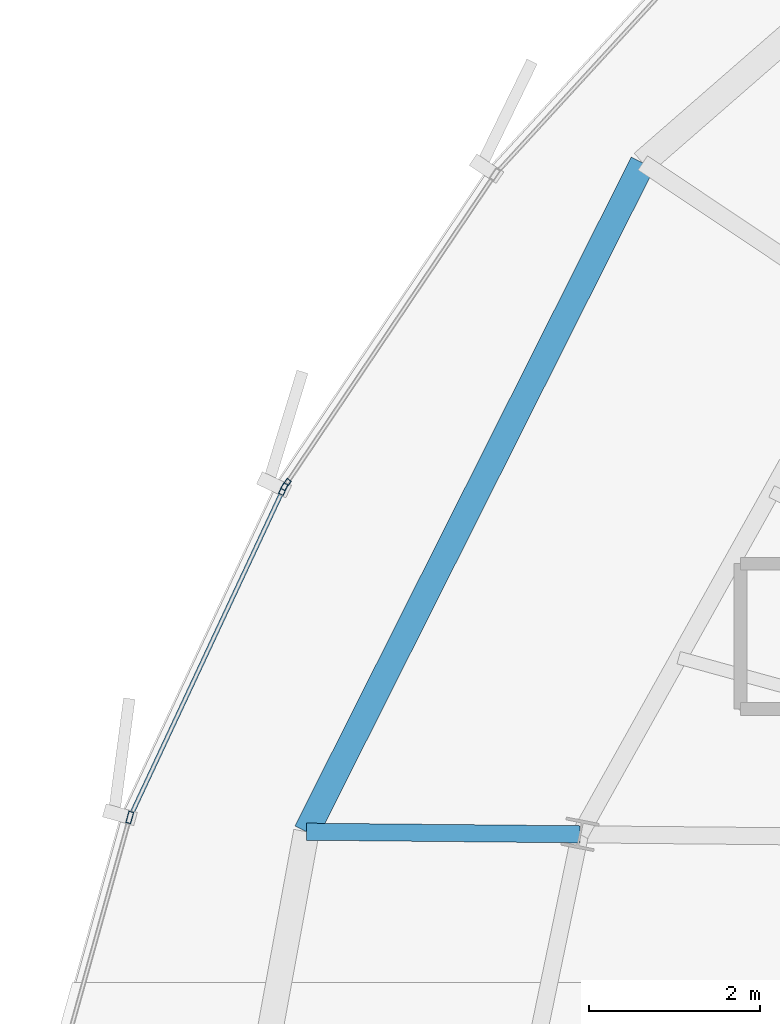
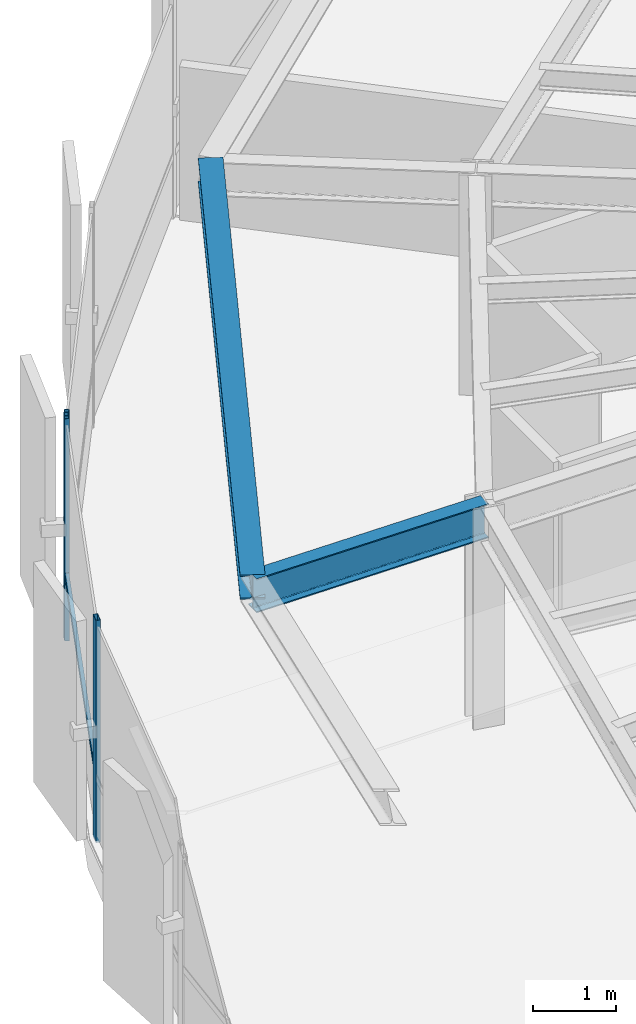
# One storey, part 11 of 36: 4 members, 2 beams, 2 elements without a shape of their own.
"""IFC4 building model written with IfcOpenShell, lengths in metres."""

from ifc_helpers import new_model, si_unit, direction, frame, origin, origin_2d, place, context, subcontext, project, spatial, hollow_rectangle, i_section, extrude, source, transform, mapped, material, layer, layer_set, material_profile, profile_set, type_object, element, aggregate, save


model = new_model("IFC4")

# Units and contexts
model_context = context("Model", 3, precision=1e-05, world=origin(), true_north=direction((0.0, 1.0)))
body_context = subcontext(model_context, "Body", "Model", "MODEL_VIEW")
ifc_project = project(units=[si_unit("LENGTHUNIT", "METRE"), si_unit("AREAUNIT", "SQUARE_METRE"), si_unit("VOLUMEUNIT", "CUBIC_METRE"), si_unit("PLANEANGLEUNIT", "RADIAN"), si_unit("MASSUNIT", "GRAM", prefix="KILO"), si_unit("THERMODYNAMICTEMPERATUREUNIT", "KELVIN")], contexts=[model_context])

# Site, building, storey
site_placement = place(None, origin())
site = spatial("IfcSite", under=ifc_project, at=site_placement, CompositionType="ELEMENT")
building_placement = place(site_placement, origin())
building = spatial("IfcBuilding", under=site, at=building_placement, Name="Kethvar Cultural Tower", CompositionType="ELEMENT")
storey_placement = place(building_placement, frame((0.0, 0.0, 176.39990234375)))
storey = spatial("IfcBuildingStorey", under=building, at=storey_placement, Name="L45", CompositionType="ELEMENT", Elevation=176.39990234375)

# Beams
ifc_material_1 = material(Name="Steel S355J2", Category="steel")
ifc_material_profile_1 = material_profile(ifc_material_1, i_section(OverallWidth=0.199951171875, OverallDepth=0.5, WebThickness=0.01025390625, FlangeThickness=0.01611328125, FilletRadius=0.02099609375, at=origin_2d()), Name="Steel S355J2 — IPE500")
ifc_profile_set_1 = profile_set([ifc_material_profile_1], Name="Steel S355J2 — IPE500")
beam_type_1 = type_object("IfcBeamType", Name="BM-IPE500", PredefinedType="BEAM", material=ifc_profile_set_1)
shared_shape_1 = source(origin(), body_context, "Body", "SweptSolid", [
    extrude(i_section(OverallWidth=0.199951171875, OverallDepth=0.5, WebThickness=0.01025390625, FlangeThickness=0.01611328125, FilletRadius=0.02099609375, at=origin_2d()), origin(), (0.0, 0.0, 1.0), 3.2001953125),
])
beam_1_placement = place(storey_placement, frame((29.02490234375, 31.335693359375, 3.008056640625), z_axis=(-0.999954526979, 0.009536455014, 0.0), x_axis=(-0.009536455014, -0.999954526979, 0.0)))
element("IfcBeam", 1, at=beam_1_placement, inside=storey, type_object=beam_type_1, Name="L45 Perimeter Cantilever Beam RC-08", PredefinedType="BEAM", context=body_context, shape_type="MappedRepresentation", body=[
    mapped(shared_shape_1, transform((0.0, 0.0, 0.0), scale=1.0)),
])
ifc_material_profile_2 = material_profile(ifc_material_1, i_section(OverallWidth=0.300048828125, OverallDepth=0.360107421875, WebThickness=0.012451171875, FlangeThickness=0.0224609375, FilletRadius=0.027099609375, at=origin_2d()), Name="Steel S355J2 — HEB360")
ifc_profile_set_2 = profile_set([ifc_material_profile_2], Name="Steel S355J2 — HEB360")
beam_type_2 = type_object("IfcBeamType", Name="BM-SP360", PredefinedType="SPANDREL", material=ifc_profile_set_2)
shared_shape_2 = source(origin(), body_context, "Body", "SweptSolid", [
    extrude(i_section(OverallWidth=0.300048828125, OverallDepth=0.360107421875, WebThickness=0.012451171875, FlangeThickness=0.0224609375, FilletRadius=0.027099609375, at=origin_2d()), origin(), (0.0, 0.0, 1.0), 8.754150390625),
])
beam_2_placement = place(storey_placement, frame((29.757568359375, 39.187255859375, 3.078125), z_axis=(-0.449231599727, -0.893415340033, 0.0), x_axis=(0.893415340033, -0.449231599727, 0.0)))
element("IfcBeam", 2, at=beam_2_placement, inside=storey, type_object=beam_type_2, Name="L45 Perimeter Spandrel Beam SP-07", PredefinedType="SPANDREL", context=body_context, shape_type="MappedRepresentation", body=[
    mapped(shared_shape_2, transform((0.0, 0.0, 0.0), scale=1.0)),
])

# Curtain wall, member
ifc_material_2 = material(Name="Aluminium 6063-T6", Category="aluminium")
ifc_layer = layer(ifc_material_2, 0.179931640625, Name="Aluminium 6063-T6", Category="aluminium")
ifc_layer_set = layer_set([ifc_layer], Name="Aluminium 6063-T6 (180 mm)")
curtain_wall_type = type_object("IfcCurtainWallType", Name="CW-SYS-04-Z34", PredefinedType="NOTDEFINED", material=ifc_layer_set)
curtain_wall_1_placement = place(storey_placement, origin())
curtain_wall_1 = element("IfcCurtainWall", 3, at=curtain_wall_1_placement, inside=storey, type_object=curtain_wall_type, Name="L45 Curtain Wall Run 02", PredefinedType="NOTDEFINED")
ifc_material_profile_3 = material_profile(ifc_material_2, hollow_rectangle(XDim=0.06005859375, YDim=0.139892578125, WallThickness=0.0048828125, at=origin_2d()), Name="Aluminium 6063-T6 — RHS140x60x5")
ifc_profile_set_3 = profile_set([ifc_material_profile_3], Name="Aluminium 6063-T6 — RHS140x60x5")
member_type_1 = type_object("IfcMemberType", Name="CW-SYS-04-Z34-MUL", PredefinedType="MULLION", material=ifc_profile_set_3)
shared_shape_3 = source(origin(), body_context, "Body", "SweptSolid", [
    extrude(hollow_rectangle(XDim=0.06005859375, YDim=0.139892578125, WallThickness=0.0048828125, at=origin_2d()), origin(), (0.0, 0.0, 1.0), 3.260009765625),
])
member_1_placement = place(storey_placement, frame((25.5849609375, 35.42578125, 0.0), z_axis=(0.0, 0.0, 1.0), x_axis=(0.829242471769, -0.558889007777, 0.0)))
member_1 = element("IfcMember", 4, at=member_1_placement, type_object=member_type_1, Name="CW-L45-R02 Mullion 7", PredefinedType="MULLION", context=body_context, shape_type="MappedRepresentation", body=[
    mapped(shared_shape_3, transform((0.0, 0.0, 0.0), scale=1.0)),
])
aggregate(curtain_wall_1, [member_1])

# Curtain wall, members
curtain_wall_2_placement = place(storey_placement, origin())
curtain_wall_2 = element("IfcCurtainWall", 5, at=curtain_wall_2_placement, inside=storey, type_object=curtain_wall_type, Name="L45 Curtain Wall Run 03", PredefinedType="NOTDEFINED")
member_2_placement = place(storey_placement, frame((25.55517578125, 35.373046875, 0.0), z_axis=(0.0, 0.0, 1.0), x_axis=(0.905982972299, -0.423314131471, 0.0)))
member_2 = element("IfcMember", 6, at=member_2_placement, type_object=member_type_1, Name="CW-L45-R03 Mullion 1", PredefinedType="MULLION", context=body_context, shape_type="MappedRepresentation", body=[
    mapped(shared_shape_3, transform((0.0, 0.0, 0.0), scale=1.0)),
])
member_3_placement = place(storey_placement, frame((23.75927734375, 31.532958984375, 0.0), z_axis=(0.0, 0.0, 1.0), x_axis=(0.963368798367, -0.268180085639, 0.0)))
member_3 = element("IfcMember", 7, at=member_3_placement, type_object=member_type_1, Name="CW-L45-R03 Mullion 2", PredefinedType="MULLION", context=body_context, shape_type="MappedRepresentation", body=[
    mapped(shared_shape_3, transform((0.0, 0.0, 0.0), scale=1.0)),
])
ifc_material_profile_4 = material_profile(ifc_material_2, hollow_rectangle(XDim=0.050048828125, YDim=0.10009765625, WallThickness=0.00390625, at=origin_2d()), Name="Aluminium 6063-T6 — RHS100x50x4")
ifc_profile_set_4 = profile_set([ifc_material_profile_4], Name="Aluminium 6063-T6 — RHS100x50x4")
member_type_2 = type_object("IfcMemberType", Name="CW-SYS-04-Z34-TRN", PredefinedType="USERDEFINED", material=ifc_profile_set_4)
shared_shape_4 = source(origin(), body_context, "Body", "SweptSolid", [
    extrude(hollow_rectangle(XDim=0.050048828125, YDim=0.10009765625, WallThickness=0.00390625, at=origin_2d()), origin(), (0.0, 0.0, 1.0), 4.209716796875),
])
member_4_placement = place(storey_placement, frame((25.553466796875, 35.369140625, 0.9501953125), z_axis=(-0.423348930736, -0.905966711775, 0.0), x_axis=(0.905966711775, -0.423348930736, 0.0)))
member_4 = element("IfcMember", 8, at=member_4_placement, type_object=member_type_2, Name="CW-L45-R03 Transom 1", ObjectType="TRANSOM", PredefinedType="USERDEFINED", context=body_context, shape_type="MappedRepresentation", body=[
    mapped(shared_shape_4, transform((0.0, 0.0, 0.0), scale=1.0)),
])
aggregate(curtain_wall_2, [member_2, member_3, member_4])

save(model, "model.ifc")
